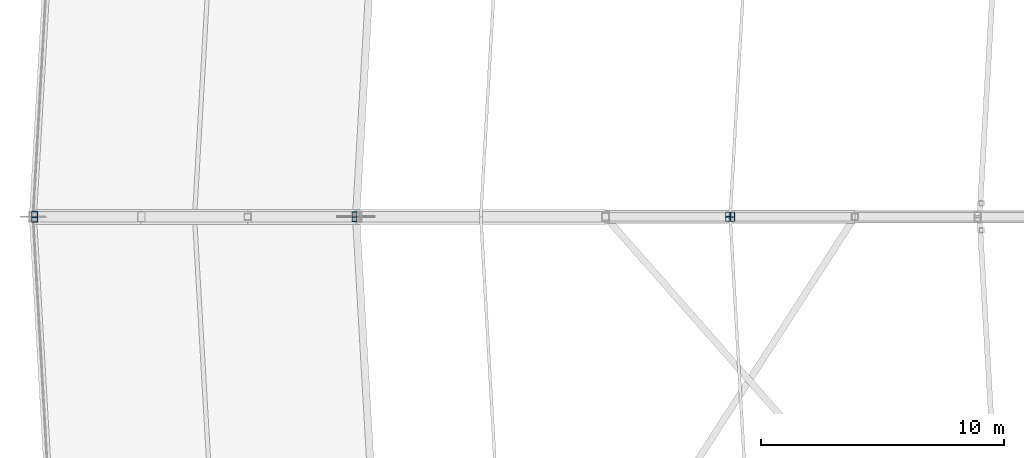
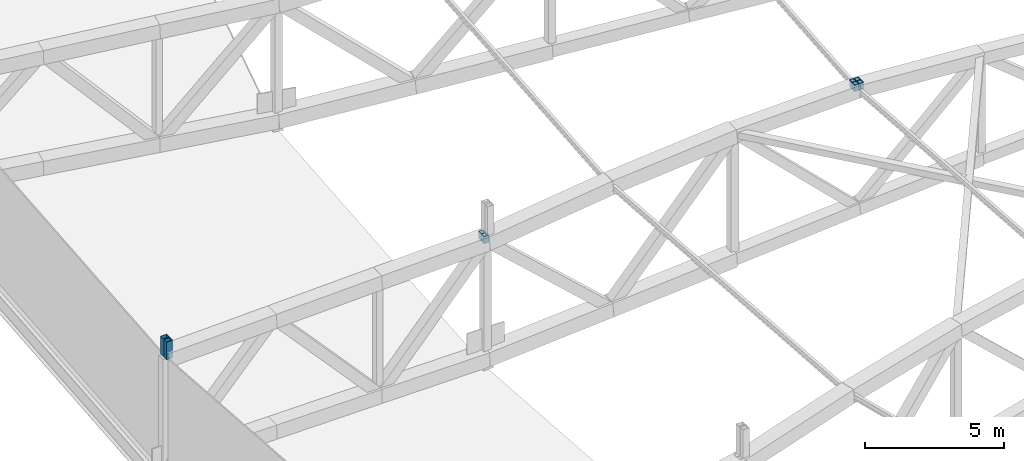
# One storey, part 105 of 162: 8 members.
"""IFC4 building model written with IfcOpenShell, lengths in metres."""

from ifc_helpers import new_model, si_unit, direction, frame, origin, origin_2d, place, context, subcontext, project, spatial, hollow_rectangle, extrude, material, material_profile, profile_set, type_object, element, save


model = new_model("IFC4")

# Units and contexts
model_context = context("Model", 3, precision=1e-05, world=origin(), true_north=direction((0.0, 1.0)))
body_context = subcontext(model_context, "Body", "Model", "MODEL_VIEW")
ifc_project = project(units=[si_unit("LENGTHUNIT", "METRE"), si_unit("AREAUNIT", "SQUARE_METRE"), si_unit("VOLUMEUNIT", "CUBIC_METRE"), si_unit("PLANEANGLEUNIT", "RADIAN"), si_unit("MASSUNIT", "GRAM", prefix="KILO")], contexts=[model_context])

# Site, building, storey
site_placement = place(None, origin())
site = spatial("IfcSite", under=ifc_project, at=site_placement, CompositionType="ELEMENT")
building_placement = place(site_placement, origin())
building = spatial("IfcBuilding", under=site, at=building_placement, Name="Kazemori Nagisa Stadium", CompositionType="ELEMENT")
storey_placement = place(building_placement, frame((0.0, 0.0, 36.719970703125)))
storey = spatial("IfcBuildingStorey", under=building, at=storey_placement, Name="RF", CompositionType="ELEMENT", Elevation=36.719970703125)

# Members
ifc_material = material(Name="Steel STKR490", Category="steel")
ifc_material_profile_1 = material_profile(ifc_material, hollow_rectangle(XDim=0.25, YDim=0.25, WallThickness=0.011962890625, at=origin_2d()), Name="SHS-250x250x12")
ifc_profile_set_1 = profile_set([ifc_material_profile_1], Name="Steel STKR490")
member_type_1 = type_object("IfcMemberType", Name="Member_ST-SHS250", PredefinedType="STUD", material=ifc_profile_set_1)
for number, where, z_axis, x_axis, name in (
    (1, (28.07470703125, 102.093994140625, 5.10009765625), (0.0, 0.0, 1.0), (1.0, 0.0, 0.0), "Canopy bearing stool B14-outer-2"),
    (2, (28.07470703125, 101.906005859375, 5.10009765625), (0.0, 0.0, 1.0), (1.0, 0.0, 0.0), "Canopy bearing stool B15-outer-1"),
):
    element("IfcMember", number, at=place(storey_placement, frame(where, z_axis=z_axis, x_axis=x_axis)), inside=storey, type_object=member_type_1, Name=name, PredefinedType="STUD", context=body_context, shape_type="SweptSolid", body=[
        extrude(hollow_rectangle(XDim=0.25, YDim=0.25, WallThickness=0.011962890625, at=origin_2d()), origin(), (0.0, 0.0, 1.0), 0.77490234375),
    ])
ifc_material_profile_2 = material_profile(ifc_material, hollow_rectangle(XDim=0.199951171875, YDim=0.199951171875, WallThickness=0.009033203125, at=origin_2d()), Name="SHS-200x200x9")
ifc_profile_set_2 = profile_set([ifc_material_profile_2], Name="Steel STKR490")
member_type_2 = type_object("IfcMemberType", Name="Member_TS-SHS200", PredefinedType="STRUT", material=ifc_profile_set_2)
for number, where, z_axis, x_axis, name in (
    (3, (41.232666015625, 102.099365234375, 5.56005859375), (0.0, 0.0, 1.0), (1.0, 0.0, 0.0), "Canopy bearing stool B14-outer-3"),
    (4, (56.60693359375, 102.08642578125, 6.830078125), (0.0, 0.0, 1.0), (1.0, 0.0, 0.0), "Canopy bearing stool B14-mid-3"),
    (5, (56.769287109375, 102.090087890625, 6.830078125), (0.0, 0.0, 1.0), (1.0, 0.0, 0.0), "Canopy bearing stool B14-inner-2"),
    (6, (41.232666015625, 101.900634765625, 5.56005859375), (0.0, 0.0, 1.0), (1.0, 0.0, 0.0), "Canopy bearing stool B15-outer-4"),
    (7, (56.60693359375, 101.91357421875, 6.830078125), (0.0, 0.0, 1.0), (1.0, 0.0, 0.0), "Canopy bearing stool B15-mid-4"),
    (8, (56.769287109375, 101.909912109375, 6.830078125), (0.0, 0.0, 1.0), (1.0, 0.0, 0.0), "Canopy bearing stool B15-inner-1"),
):
    element("IfcMember", number, at=place(storey_placement, frame(where, z_axis=z_axis, x_axis=x_axis)), inside=storey, type_object=member_type_2, Name=name, PredefinedType="STRUT", context=body_context, shape_type="SweptSolid", body=[
        extrude(hollow_rectangle(XDim=0.199951171875, YDim=0.199951171875, WallThickness=0.009033203125, at=origin_2d()), origin(), (0.0, 0.0, 1.0), 0.31494140625),
    ])

save(model, "model.ifc")
